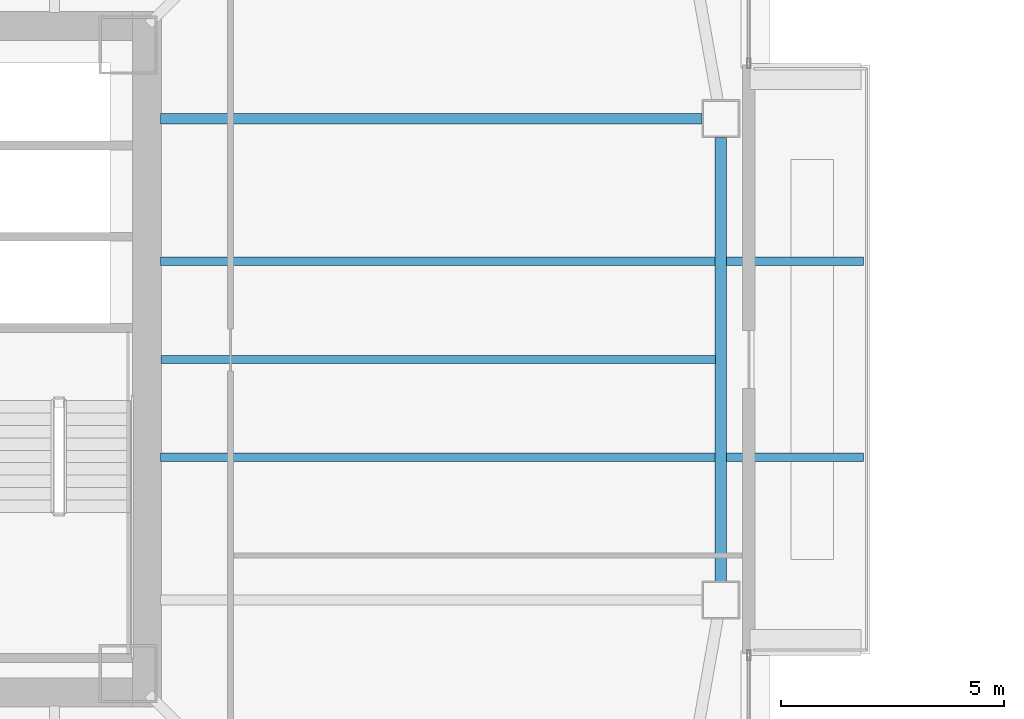
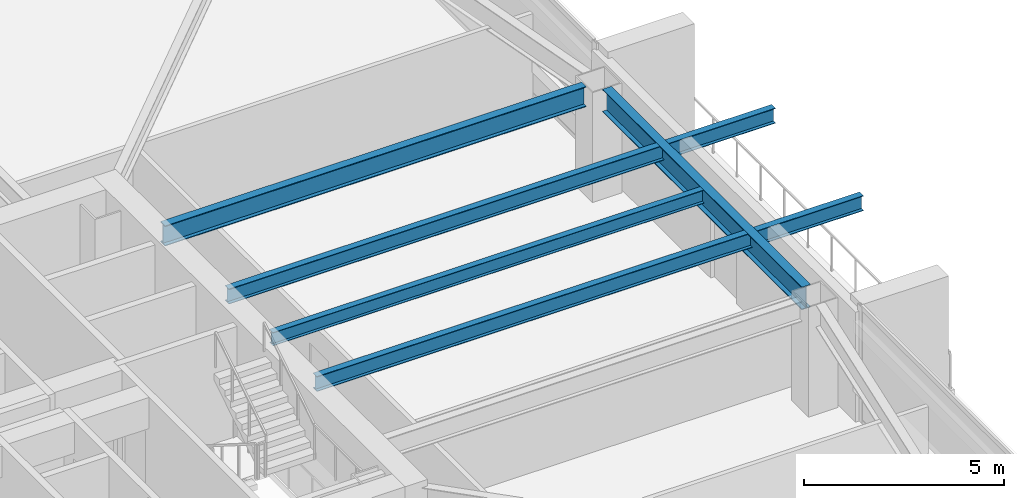
# One storey, part 10 of 44: 5 beams.
"""IFC4 building model written with IfcOpenShell, lengths in metres."""

from ifc_helpers import new_model, si_unit, direction, frame, origin, origin_2d, place, context, subcontext, project, spatial, i_section, extrude, material, material_profile, profile_set, type_object, element, save


model = new_model("IFC4")

# Units and contexts
model_context = context("Model", 3, precision=1e-05, world=origin(), true_north=direction((0.0, 1.0)))
body_context = subcontext(model_context, "Body", "Model", "MODEL_VIEW")
ifc_project = project(units=[si_unit("LENGTHUNIT", "METRE"), si_unit("AREAUNIT", "SQUARE_METRE"), si_unit("VOLUMEUNIT", "CUBIC_METRE"), si_unit("PLANEANGLEUNIT", "RADIAN"), si_unit("MASSUNIT", "GRAM", prefix="KILO")], contexts=[model_context])

# Site, building, storey
site_placement = place(None, origin())
site = spatial("IfcSite", under=ifc_project, at=site_placement, CompositionType="ELEMENT")
building_placement = place(site_placement, origin())
building = spatial("IfcBuilding", under=site, at=building_placement, Name="Tashvorn Skyway Center", CompositionType="ELEMENT")
storey_placement = place(building_placement, frame((0.0, 0.0, 102.699951171875)))
storey = spatial("IfcBuildingStorey", under=building, at=storey_placement, Name="L27", CompositionType="ELEMENT", Elevation=102.699951171875)

# Beams
ifc_material = material(Name="Steel ASTM A992 Grade 50", Category="steel")
ifc_material_profile_1 = material_profile(ifc_material, i_section(OverallWidth=0.22998046875, OverallDepth=0.616943359375, WebThickness=0.01318359375, FlangeThickness=0.022216796875, at=origin_2d()), Name="W24X94")
ifc_profile_set_1 = profile_set([ifc_material_profile_1], Name="Steel ASTM A992 Grade 50")
beam_type_1 = type_object("IfcBeamType", Name="BM-BEAM-W24X94", PredefinedType="BEAM", material=ifc_profile_set_1)
beam_1_placement = place(storey_placement, frame((61.929931640625, 37.39990234375, 3.04150390625), z_axis=(-1.0, 0.0, 0.0), x_axis=(0.0, -1.0, 0.0)))
element("IfcBeam", 1, at=beam_1_placement, inside=storey, type_object=beam_type_1, Name="Tower 1 L27 Primary Floor Girder FC-E2", PredefinedType="BEAM", context=body_context, shape_type="SweptSolid", body=[
    extrude(i_section(OverallWidth=0.22998046875, OverallDepth=0.616943359375, WebThickness=0.01318359375, FlangeThickness=0.022216796875, at=origin_2d()), origin(), (0.0, 0.0, 1.0), 12.14990234375),
])
ifc_material_profile_2 = material_profile(ifc_material, i_section(OverallWidth=0.177978515625, OverallDepth=0.406005859375, WebThickness=0.0078125, FlangeThickness=0.0126953125, at=origin_2d()), Name="W16X40")
ifc_profile_set_2 = profile_set([ifc_material_profile_2], Name="Steel ASTM A992 Grade 50")
beam_type_2 = type_object("IfcBeamType", Name="BM-JOIST-W16X40", PredefinedType="JOIST", material=ifc_profile_set_2)
beam_2_placement = place(storey_placement, frame((49.7900390625, 32.0, 3.14697265625), z_axis=(1.0, 0.0, 0.0), x_axis=(0.0, 1.0, 0.0)))
element("IfcBeam", 2, at=beam_2_placement, inside=storey, type_object=beam_type_2, Name="Tower 1 L27 Secondary Composite Joist JE", PredefinedType="JOIST", context=body_context, shape_type="SweptSolid", body=[
    extrude(i_section(OverallWidth=0.177978515625, OverallDepth=0.406005859375, WebThickness=0.0078125, FlangeThickness=0.0126953125, at=origin_2d()), origin(), (0.0, 0.0, 1.0), 12.43994140625),
])
ifc_material_profile_3 = material_profile(ifc_material, i_section(OverallWidth=0.19091796875, OverallDepth=0.4599609375, WebThickness=0.010009765625, FlangeThickness=0.01611328125, at=origin_2d()), Name="W18X55")
ifc_profile_set_3 = profile_set([ifc_material_profile_3], Name="Steel ASTM A992 Grade 50")
beam_type_3 = type_object("IfcBeamType", Name="BM-JOIST-W18X55", PredefinedType="JOIST", material=ifc_profile_set_3)
for number, where, z_axis, x_axis, name in (
    (3, (49.780029296875, 29.800048828125, 3.1201171875), (1.0, 0.0, 0.0), (0.0, 1.0, 0.0), "Tower 1 L28 Terrace Cantilever Outlooker 1"),
    (4, (49.780029296875, 34.199951171875, 3.1201171875), (1.0, 0.0, 0.0), (0.0, 1.0, 0.0), "Tower 1 L28 Terrace Cantilever Outlooker 2"),
):
    element("IfcBeam", number, at=place(storey_placement, frame(where, z_axis=z_axis, x_axis=x_axis)), inside=storey, type_object=beam_type_3, Name=name, PredefinedType="JOIST", context=body_context, shape_type="SweptSolid", body=[
        extrude(i_section(OverallWidth=0.19091796875, OverallDepth=0.4599609375, WebThickness=0.010009765625, FlangeThickness=0.01611328125, at=origin_2d()), origin(), (0.0, 0.0, 1.0), 15.77001953125),
    ])
ifc_material_profile_4 = material_profile(ifc_material, i_section(OverallWidth=0.256103515625, OverallDepth=0.693115234375, WebThickness=0.014404296875, FlangeThickness=0.023681640625, at=origin_2d()), Name="W27X114")
ifc_profile_set_4 = profile_set([ifc_material_profile_4], Name="Steel ASTM A992 Grade 50")
beam_type_4 = type_object("IfcBeamType", Name="BM-SPANDREL-W27X114", PredefinedType="SPANDREL", material=ifc_profile_set_4)
beam_3_placement = place(storey_placement, frame((62.35009765625, 27.02001953125, 3.003662109375), z_axis=(0.0, 1.0, 0.0), x_axis=(-1.0, 0.0, 0.0)))
element("IfcBeam", 5, at=beam_3_placement, inside=storey, type_object=beam_type_4, Name="Tower 1 L27 Spandrel Beam 05", PredefinedType="SPANDREL", context=body_context, shape_type="SweptSolid", body=[
    extrude(i_section(OverallWidth=0.256103515625, OverallDepth=0.693115234375, WebThickness=0.014404296875, FlangeThickness=0.023681640625, at=origin_2d()), origin(), (0.0, 0.0, 1.0), 9.9599609375),
])

save(model, "model.ifc")
